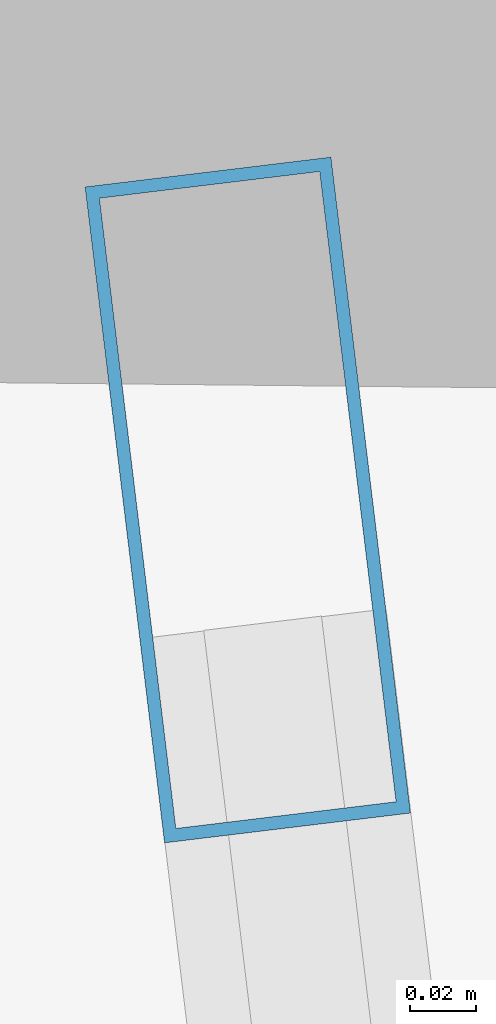
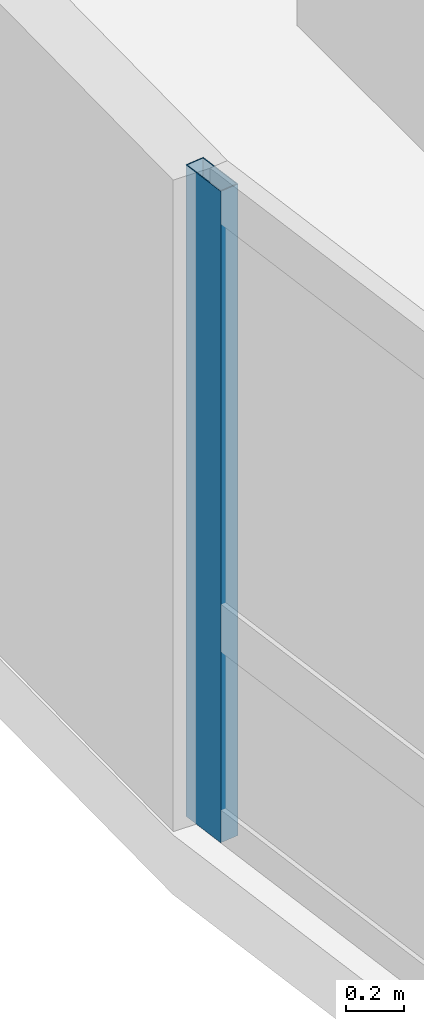
# One storey, part 8 of 23: 1 member, 1 element without a shape of its own.
"""IFC4 building model written with IfcOpenShell, lengths in metres."""

from ifc_helpers import new_model, si_unit, direction, frame, origin, origin_2d, place, context, subcontext, project, spatial, hollow_rectangle, extrude, material, layer, layer_set, material_profile, profile_set, type_object, element, aggregate, save


model = new_model("IFC4")

# Units and contexts
model_context = context("Model", 3, precision=1e-05, world=origin(), true_north=direction((0.0, 1.0)))
body_context = subcontext(model_context, "Body", "Model", "MODEL_VIEW")
ifc_project = project(units=[si_unit("LENGTHUNIT", "METRE"), si_unit("AREAUNIT", "SQUARE_METRE"), si_unit("VOLUMEUNIT", "CUBIC_METRE"), si_unit("PLANEANGLEUNIT", "RADIAN"), si_unit("MASSUNIT", "GRAM", prefix="KILO")], contexts=[model_context])

# Site, building, storey
site_placement = place(None, origin())
site = spatial("IfcSite", under=ifc_project, at=site_placement, CompositionType="ELEMENT")
building_placement = place(site_placement, origin())
building = spatial("IfcBuilding", under=site, at=building_placement, Name="Varnelok Gate Tower", CompositionType="ELEMENT")
storey_placement = place(building_placement, frame((0.0, 0.0, 189.39990234375)))
storey = spatial("IfcBuildingStorey", under=building, at=storey_placement, Name="L48", CompositionType="ELEMENT", Elevation=189.39990234375)

# Curtain wall, member
ifc_material = material(Name="Anodized Aluminum Alloy 6063-T6", Category="aluminium")
ifc_layer = layer(ifc_material, 0.179931640625)
ifc_layer_set = layer_set([ifc_layer], Name="Anodized Aluminum Alloy 6063-T6")
curtain_wall_type = type_object("IfcCurtainWallType", Name="CW4-RESIDENCE-VISION", PredefinedType="USERDEFINED", material=ifc_layer_set)
curtain_wall_placement = place(storey_placement, origin())
curtain_wall = element("IfcCurtainWall", 1, at=curtain_wall_placement, inside=storey, type_object=curtain_wall_type, Name="L48 West End Vision Curtain Wall", ObjectType="UNITISED CURTAIN WALL", PredefinedType="USERDEFINED")
ifc_material_profile = material_profile(ifc_material, hollow_rectangle(XDim=0.074951171875, YDim=0.199951171875, WallThickness=0.00390625, at=origin_2d()), Name="ALU200X75X4")
ifc_profile_set = profile_set([ifc_material_profile], Name="Anodized Aluminum Alloy 6063-T6")
member_type = type_object("IfcMemberType", Name="CW-MULL-200", PredefinedType="MULLION", material=ifc_profile_set)
member_placement = place(storey_placement, frame((2.290283203125, 37.610107421875, 0.0), z_axis=(0.0, 0.0, 1.0), x_axis=(-0.992732188751, -0.120344511371, 0.0)))
member = element("IfcMember", 2, at=member_placement, type_object=member_type, Name="CW4 mullion 6", PredefinedType="MULLION", context=body_context, shape_type="SweptSolid", body=[
    extrude(hollow_rectangle(XDim=0.074951171875, YDim=0.199951171875, WallThickness=0.00390625, at=origin_2d()), origin(), (0.0, 0.0, 1.0), 2.72998046875),
])
aggregate(curtain_wall, [member])

save(model, "model.ifc")
